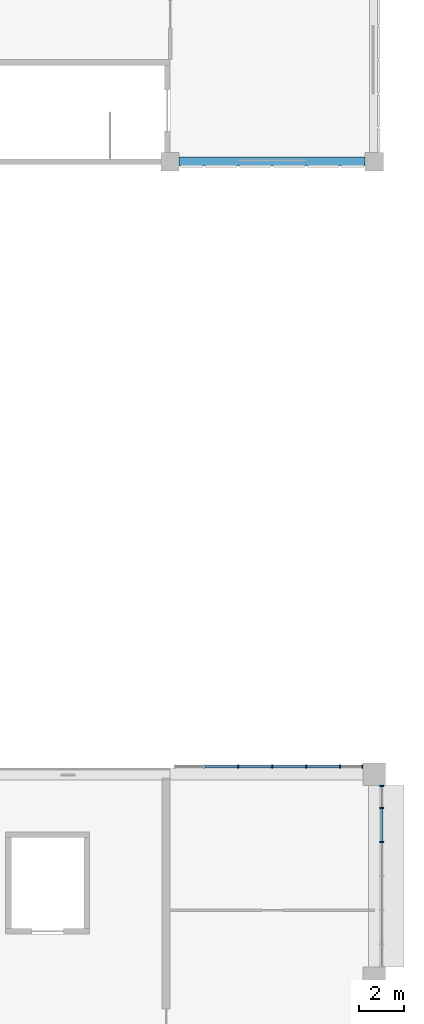
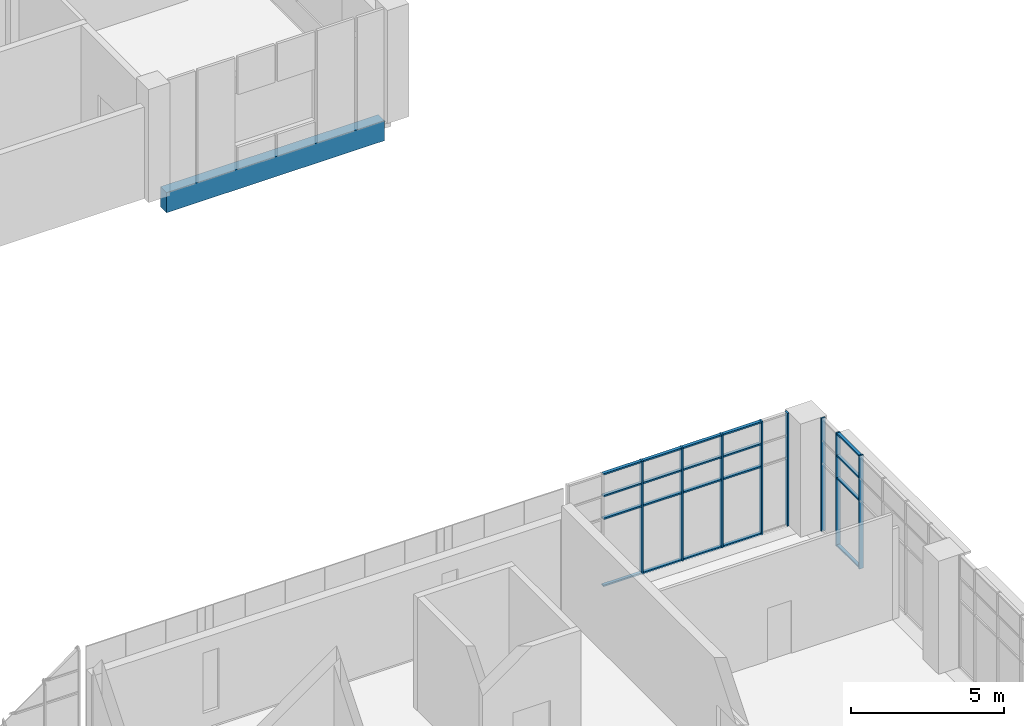
# One storey, part 33 of 88: 28 members, 1 beam, 2 elements without a shape of their own.
"""IFC4 building model written with IfcOpenShell, lengths in metres."""

from ifc_helpers import new_model, si_unit, direction, frame, origin, origin_2d, place, context, subcontext, project, spatial, rectangle, extrude, material, layer, layer_set, material_profile, profile_set, type_object, element, aggregate, save


model = new_model("IFC4")

# Units and contexts
model_context = context("Model", 3, precision=1e-05, world=origin(), true_north=direction((0.0, 1.0)))
body_context = subcontext(model_context, "Body", "Model", "MODEL_VIEW")
ifc_project = project(units=[si_unit("LENGTHUNIT", "METRE"), si_unit("AREAUNIT", "SQUARE_METRE"), si_unit("VOLUMEUNIT", "CUBIC_METRE"), si_unit("PLANEANGLEUNIT", "RADIAN"), si_unit("MASSUNIT", "GRAM", prefix="KILO")], contexts=[model_context])

# Site, building, storey
site_placement = place(None, origin())
site = spatial("IfcSite", under=ifc_project, at=site_placement, CompositionType="ELEMENT")
building_placement = place(site_placement, origin())
building = spatial("IfcBuilding", under=site, at=building_placement, Name="Guidao Yard Department Store", CompositionType="ELEMENT")
storey_placement = place(building_placement, frame((0.0, 0.0, 6.0)))
storey = spatial("IfcBuildingStorey", under=building, at=storey_placement, Name="L01", CompositionType="ELEMENT", Elevation=6.0)

# Curtain wall, members
ifc_material_1 = material(Name="Aluminium and glass", Category="aluminium")
ifc_layer = layer(ifc_material_1, 0.159912109375)
ifc_layer_set = layer_set([ifc_layer], Name="Unitised curtain wall CW4 1500 module")
curtain_wall_type = type_object("IfcCurtainWallType", Name="Unitised curtain wall CW4 1500 module", PredefinedType="NOTDEFINED", material=ifc_layer_set)
curtain_wall_1_placement = place(storey_placement, origin())
curtain_wall_1 = element("IfcCurtainWall", 1, at=curtain_wall_1_placement, inside=storey, type_object=curtain_wall_type, Name="Unitised curtain wall", PredefinedType="NOTDEFINED")
ifc_material_2 = material(Name="Aluminium 6063-T5", Category="aluminium")
ifc_material_profile_1 = material_profile(ifc_material_2, rectangle(XDim=0.06005859375, YDim=0.159912109375, at=origin_2d()), Name="Mullion M1 60 x 160 aluminium pressure plate")
ifc_profile_set_1 = profile_set([ifc_material_profile_1], Name="Aluminium 6063-T5")
member_type_1 = type_object("IfcMemberType", Name="Mullion M1 60 x 160 aluminium pressure plate", PredefinedType="MULLION", material=ifc_profile_set_1)
member_1_placement = place(storey_placement, frame((165.0, 27.330078125, 0.0), z_axis=(0.0, 0.0, 1.0), x_axis=(1.0, 0.0, 0.0)))
member_1 = element("IfcMember", 2, at=member_1_placement, type_object=member_type_1, Name="CW-OW-L01-08 mullion 3", PredefinedType="MULLION", context=body_context, shape_type="SweptSolid", body=[
    extrude(rectangle(XDim=0.06005859375, YDim=0.159912109375, at=origin_2d()), origin(), (0.0, 0.0, 1.0), 4.5),
])
member_2_placement = place(storey_placement, frame((166.5, 27.330078125, 0.0), z_axis=(0.0, 0.0, 1.0), x_axis=(1.0, 0.0, 0.0)))
member_2 = element("IfcMember", 3, at=member_2_placement, type_object=member_type_1, Name="CW-OW-L01-08 mullion 4", PredefinedType="MULLION", context=body_context, shape_type="SweptSolid", body=[
    extrude(rectangle(XDim=0.06005859375, YDim=0.159912109375, at=origin_2d()), origin(), (0.0, 0.0, 1.0), 4.5),
])
member_3_placement = place(storey_placement, frame((168.0, 27.330078125, 0.0), z_axis=(0.0, 0.0, 1.0), x_axis=(1.0, 0.0, 0.0)))
member_3 = element("IfcMember", 4, at=member_3_placement, type_object=member_type_1, Name="CW-OW-L01-08 mullion 5", PredefinedType="MULLION", context=body_context, shape_type="SweptSolid", body=[
    extrude(rectangle(XDim=0.06005859375, YDim=0.159912109375, at=origin_2d()), origin(), (0.0, 0.0, 1.0), 4.5),
])
member_4_placement = place(storey_placement, frame((169.5, 27.330078125, 0.0), z_axis=(0.0, 0.0, 1.0), x_axis=(1.0, 0.0, 0.0)))
member_4 = element("IfcMember", 5, at=member_4_placement, type_object=member_type_1, Name="CW-OW-L01-08 mullion 6", PredefinedType="MULLION", context=body_context, shape_type="SweptSolid", body=[
    extrude(rectangle(XDim=0.06005859375, YDim=0.159912109375, at=origin_2d()), origin(), (0.0, 0.0, 1.0), 4.5),
])
member_5_placement = place(storey_placement, frame((170.469970703125, 27.330078125, 0.0), z_axis=(0.0, 0.0, 1.0), x_axis=(1.0, 0.0, 0.0)))
member_5 = element("IfcMember", 6, at=member_5_placement, type_object=member_type_1, Name="CW-OW-L01-08 mullion 7", PredefinedType="MULLION", context=body_context, shape_type="SweptSolid", body=[
    extrude(rectangle(XDim=0.06005859375, YDim=0.159912109375, at=origin_2d()), origin(), (0.0, 0.0, 1.0), 4.5),
])

curtain_wall_2_placement = place(storey_placement, origin())
curtain_wall_2 = element("IfcCurtainWall", 7, at=curtain_wall_2_placement, inside=storey, type_object=curtain_wall_type, Name="Unitised curtain wall", PredefinedType="NOTDEFINED")
member_6_placement = place(storey_placement, frame((171.330078125, 24.0, 0.0), z_axis=(0.0, 0.0, 1.0), x_axis=(0.0, -1.0, 0.0)))
member_6 = element("IfcMember", 8, at=member_6_placement, type_object=member_type_1, Name="CW-OW-L01-11 mullion 5", PredefinedType="MULLION", context=body_context, shape_type="SweptSolid", body=[
    extrude(rectangle(XDim=0.06005859375, YDim=0.159912109375, at=origin_2d()), origin(), (0.0, 0.0, 1.0), 4.5),
])
member_7_placement = place(storey_placement, frame((171.330078125, 25.5, 0.0), z_axis=(0.0, 0.0, 1.0), x_axis=(0.0, -1.0, 0.0)))
member_7 = element("IfcMember", 9, at=member_7_placement, type_object=member_type_1, Name="CW-OW-L01-11 mullion 6", PredefinedType="MULLION", context=body_context, shape_type="SweptSolid", body=[
    extrude(rectangle(XDim=0.06005859375, YDim=0.159912109375, at=origin_2d()), origin(), (0.0, 0.0, 1.0), 4.5),
])
member_8_placement = place(storey_placement, frame((171.330078125, 26.469970703125, 0.0), z_axis=(0.0, 0.0, 1.0), x_axis=(0.0, -1.0, 0.0)))
member_8 = element("IfcMember", 10, at=member_8_placement, type_object=member_type_1, Name="CW-OW-L01-11 mullion 7", PredefinedType="MULLION", context=body_context, shape_type="SweptSolid", body=[
    extrude(rectangle(XDim=0.06005859375, YDim=0.159912109375, at=origin_2d()), origin(), (0.0, 0.0, 1.0), 4.5),
])

# Beam
ifc_material_3 = material(Name="Concrete C40", Category="concrete")
ifc_material_profile_2 = material_profile(ifc_material_3, rectangle(XDim=0.39990234375, YDim=0.800048828125, at=origin_2d()), Name="Spandrel beam 400 x 800 C40")
ifc_profile_set_2 = profile_set([ifc_material_profile_2], Name="Concrete C40")
beam_type = type_object("IfcBeamType", Name="Spandrel beam 400 x 800 C40", PredefinedType="SPANDREL", material=ifc_profile_set_2)
beam_placement = place(storey_placement, frame((162.39990234375, 54.0, -0.39990234375), z_axis=(1.0, 0.0, 0.0), x_axis=(0.0, 1.0, 0.0)))
element("IfcBeam", 11, at=beam_placement, inside=storey, type_object=beam_type, Name="Beam EB84", PredefinedType="SPANDREL", context=body_context, shape_type="SweptSolid", body=[
    extrude(rectangle(XDim=0.39990234375, YDim=0.800048828125, at=origin_2d()), origin(), (0.0, 0.0, 1.0), 8.2001953125),
])

# Member
ifc_material_4 = material(Name="Aluminium 6063-T5", Category="aluminium")
ifc_material_profile_3 = material_profile(ifc_material_4, rectangle(XDim=0.1201171875, YDim=0.06005859375, at=origin_2d()), Name="Transom T1 60 x 120 aluminium pressure plate")
ifc_profile_set_3 = profile_set([ifc_material_profile_3], Name="Aluminium 6063-T5")
member_type_2 = type_object("IfcMemberType", Name="Transom T1 60 x 120 aluminium pressure plate", PredefinedType="USERDEFINED", material=ifc_profile_set_3)
member_9_placement = place(storey_placement, frame((163.530029296875, 27.330078125, 0.030029296875), z_axis=(1.0, 0.0, 0.0), x_axis=(0.0, 1.0, 0.0)))
member_9 = element("IfcMember", 12, at=member_9_placement, type_object=member_type_2, Name="CW-OW-L01-08 transom 2.1", ObjectType="TRANSOM", PredefinedType="USERDEFINED", context=body_context, shape_type="SweptSolid", body=[
    extrude(rectangle(XDim=0.1201171875, YDim=0.06005859375, at=origin_2d()), origin(), (0.0, 0.0, 1.0), 1.43994140625),
])

member_10_placement = place(storey_placement, frame((163.530029296875, 27.330078125, 2.699951171875), z_axis=(1.0, 0.0, 0.0), x_axis=(0.0, 1.0, 0.0)))
member_10 = element("IfcMember", 13, at=member_10_placement, type_object=member_type_2, Name="CW-OW-L01-08 transom 2.2", ObjectType="TRANSOM", PredefinedType="USERDEFINED", context=body_context, shape_type="SweptSolid", body=[
    extrude(rectangle(XDim=0.1201171875, YDim=0.06005859375, at=origin_2d()), origin(), (0.0, 0.0, 1.0), 1.43994140625),
])

member_11_placement = place(storey_placement, frame((163.530029296875, 27.330078125, 3.60009765625), z_axis=(1.0, 0.0, 0.0), x_axis=(0.0, 1.0, 0.0)))
member_11 = element("IfcMember", 14, at=member_11_placement, type_object=member_type_2, Name="CW-OW-L01-08 transom 2.3", ObjectType="TRANSOM", PredefinedType="USERDEFINED", context=body_context, shape_type="SweptSolid", body=[
    extrude(rectangle(XDim=0.1201171875, YDim=0.06005859375, at=origin_2d()), origin(), (0.0, 0.0, 1.0), 1.43994140625),
])

member_12_placement = place(storey_placement, frame((163.530029296875, 27.330078125, 4.469970703125), z_axis=(1.0, 0.0, 0.0), x_axis=(0.0, 1.0, 0.0)))
member_12 = element("IfcMember", 15, at=member_12_placement, type_object=member_type_2, Name="CW-OW-L01-08 transom 2.4", ObjectType="TRANSOM", PredefinedType="USERDEFINED", context=body_context, shape_type="SweptSolid", body=[
    extrude(rectangle(XDim=0.1201171875, YDim=0.06005859375, at=origin_2d()), origin(), (0.0, 0.0, 1.0), 1.43994140625),
])

member_13_placement = place(storey_placement, frame((165.030029296875, 27.330078125, 0.030029296875), z_axis=(1.0, 0.0, 0.0), x_axis=(0.0, 1.0, 0.0)))
member_13 = element("IfcMember", 16, at=member_13_placement, type_object=member_type_2, Name="CW-OW-L01-08 transom 3.1", ObjectType="TRANSOM", PredefinedType="USERDEFINED", context=body_context, shape_type="SweptSolid", body=[
    extrude(rectangle(XDim=0.1201171875, YDim=0.06005859375, at=origin_2d()), origin(), (0.0, 0.0, 1.0), 1.43994140625),
])

member_14_placement = place(storey_placement, frame((165.030029296875, 27.330078125, 2.699951171875), z_axis=(1.0, 0.0, 0.0), x_axis=(0.0, 1.0, 0.0)))
member_14 = element("IfcMember", 17, at=member_14_placement, type_object=member_type_2, Name="CW-OW-L01-08 transom 3.2", ObjectType="TRANSOM", PredefinedType="USERDEFINED", context=body_context, shape_type="SweptSolid", body=[
    extrude(rectangle(XDim=0.1201171875, YDim=0.06005859375, at=origin_2d()), origin(), (0.0, 0.0, 1.0), 1.43994140625),
])

member_15_placement = place(storey_placement, frame((165.030029296875, 27.330078125, 3.60009765625), z_axis=(1.0, 0.0, 0.0), x_axis=(0.0, 1.0, 0.0)))
member_15 = element("IfcMember", 18, at=member_15_placement, type_object=member_type_2, Name="CW-OW-L01-08 transom 3.3", ObjectType="TRANSOM", PredefinedType="USERDEFINED", context=body_context, shape_type="SweptSolid", body=[
    extrude(rectangle(XDim=0.1201171875, YDim=0.06005859375, at=origin_2d()), origin(), (0.0, 0.0, 1.0), 1.43994140625),
])

member_16_placement = place(storey_placement, frame((165.030029296875, 27.330078125, 4.469970703125), z_axis=(1.0, 0.0, 0.0), x_axis=(0.0, 1.0, 0.0)))
member_16 = element("IfcMember", 19, at=member_16_placement, type_object=member_type_2, Name="CW-OW-L01-08 transom 3.4", ObjectType="TRANSOM", PredefinedType="USERDEFINED", context=body_context, shape_type="SweptSolid", body=[
    extrude(rectangle(XDim=0.1201171875, YDim=0.06005859375, at=origin_2d()), origin(), (0.0, 0.0, 1.0), 1.43994140625),
])

member_17_placement = place(storey_placement, frame((166.530029296875, 27.330078125, 0.030029296875), z_axis=(1.0, 0.0, 0.0), x_axis=(0.0, 1.0, 0.0)))
member_17 = element("IfcMember", 20, at=member_17_placement, type_object=member_type_2, Name="CW-OW-L01-08 transom 4.1", ObjectType="TRANSOM", PredefinedType="USERDEFINED", context=body_context, shape_type="SweptSolid", body=[
    extrude(rectangle(XDim=0.1201171875, YDim=0.06005859375, at=origin_2d()), origin(), (0.0, 0.0, 1.0), 1.43994140625),
])

member_18_placement = place(storey_placement, frame((166.530029296875, 27.330078125, 2.699951171875), z_axis=(1.0, 0.0, 0.0), x_axis=(0.0, 1.0, 0.0)))
member_18 = element("IfcMember", 21, at=member_18_placement, type_object=member_type_2, Name="CW-OW-L01-08 transom 4.2", ObjectType="TRANSOM", PredefinedType="USERDEFINED", context=body_context, shape_type="SweptSolid", body=[
    extrude(rectangle(XDim=0.1201171875, YDim=0.06005859375, at=origin_2d()), origin(), (0.0, 0.0, 1.0), 1.43994140625),
])

member_19_placement = place(storey_placement, frame((166.530029296875, 27.330078125, 3.60009765625), z_axis=(1.0, 0.0, 0.0), x_axis=(0.0, 1.0, 0.0)))
member_19 = element("IfcMember", 22, at=member_19_placement, type_object=member_type_2, Name="CW-OW-L01-08 transom 4.3", ObjectType="TRANSOM", PredefinedType="USERDEFINED", context=body_context, shape_type="SweptSolid", body=[
    extrude(rectangle(XDim=0.1201171875, YDim=0.06005859375, at=origin_2d()), origin(), (0.0, 0.0, 1.0), 1.43994140625),
])

member_20_placement = place(storey_placement, frame((166.530029296875, 27.330078125, 4.469970703125), z_axis=(1.0, 0.0, 0.0), x_axis=(0.0, 1.0, 0.0)))
member_20 = element("IfcMember", 23, at=member_20_placement, type_object=member_type_2, Name="CW-OW-L01-08 transom 4.4", ObjectType="TRANSOM", PredefinedType="USERDEFINED", context=body_context, shape_type="SweptSolid", body=[
    extrude(rectangle(XDim=0.1201171875, YDim=0.06005859375, at=origin_2d()), origin(), (0.0, 0.0, 1.0), 1.43994140625),
])

member_21_placement = place(storey_placement, frame((168.030029296875, 27.330078125, 0.030029296875), z_axis=(1.0, 0.0, 0.0), x_axis=(0.0, 1.0, 0.0)))
member_21 = element("IfcMember", 24, at=member_21_placement, type_object=member_type_2, Name="CW-OW-L01-08 transom 5.1", ObjectType="TRANSOM", PredefinedType="USERDEFINED", context=body_context, shape_type="SweptSolid", body=[
    extrude(rectangle(XDim=0.1201171875, YDim=0.06005859375, at=origin_2d()), origin(), (0.0, 0.0, 1.0), 1.43994140625),
])

member_22_placement = place(storey_placement, frame((168.030029296875, 27.330078125, 2.699951171875), z_axis=(1.0, 0.0, 0.0), x_axis=(0.0, 1.0, 0.0)))
member_22 = element("IfcMember", 25, at=member_22_placement, type_object=member_type_2, Name="CW-OW-L01-08 transom 5.2", ObjectType="TRANSOM", PredefinedType="USERDEFINED", context=body_context, shape_type="SweptSolid", body=[
    extrude(rectangle(XDim=0.1201171875, YDim=0.06005859375, at=origin_2d()), origin(), (0.0, 0.0, 1.0), 1.43994140625),
])

member_23_placement = place(storey_placement, frame((168.030029296875, 27.330078125, 3.60009765625), z_axis=(1.0, 0.0, 0.0), x_axis=(0.0, 1.0, 0.0)))
member_23 = element("IfcMember", 26, at=member_23_placement, type_object=member_type_2, Name="CW-OW-L01-08 transom 5.3", ObjectType="TRANSOM", PredefinedType="USERDEFINED", context=body_context, shape_type="SweptSolid", body=[
    extrude(rectangle(XDim=0.1201171875, YDim=0.06005859375, at=origin_2d()), origin(), (0.0, 0.0, 1.0), 1.43994140625),
])

member_24_placement = place(storey_placement, frame((168.030029296875, 27.330078125, 4.469970703125), z_axis=(1.0, 0.0, 0.0), x_axis=(0.0, 1.0, 0.0)))
member_24 = element("IfcMember", 27, at=member_24_placement, type_object=member_type_2, Name="CW-OW-L01-08 transom 5.4", ObjectType="TRANSOM", PredefinedType="USERDEFINED", context=body_context, shape_type="SweptSolid", body=[
    extrude(rectangle(XDim=0.1201171875, YDim=0.06005859375, at=origin_2d()), origin(), (0.0, 0.0, 1.0), 1.43994140625),
])

aggregate(curtain_wall_1, [member_1, member_2, member_3, member_4, member_5, member_9, member_10, member_11, member_12, member_13, member_14, member_15, member_16, member_17, member_18, member_19, member_20, member_21, member_22, member_23, member_24])

member_25_placement = place(storey_placement, frame((171.330078125, 25.469970703125, 0.030029296875), z_axis=(0.0, -1.0, 0.0), x_axis=(1.0, 0.0, 0.0)))
member_25 = element("IfcMember", 28, at=member_25_placement, type_object=member_type_2, Name="CW-OW-L01-11 transom 5.1", ObjectType="TRANSOM", PredefinedType="USERDEFINED", context=body_context, shape_type="SweptSolid", body=[
    extrude(rectangle(XDim=0.1201171875, YDim=0.06005859375, at=origin_2d()), origin(), (0.0, 0.0, 1.0), 1.43994140625),
])

member_26_placement = place(storey_placement, frame((171.330078125, 25.469970703125, 2.699951171875), z_axis=(0.0, -1.0, 0.0), x_axis=(1.0, 0.0, 0.0)))
member_26 = element("IfcMember", 29, at=member_26_placement, type_object=member_type_2, Name="CW-OW-L01-11 transom 5.2", ObjectType="TRANSOM", PredefinedType="USERDEFINED", context=body_context, shape_type="SweptSolid", body=[
    extrude(rectangle(XDim=0.1201171875, YDim=0.06005859375, at=origin_2d()), origin(), (0.0, 0.0, 1.0), 1.43994140625),
])

member_27_placement = place(storey_placement, frame((171.330078125, 25.469970703125, 3.60009765625), z_axis=(0.0, -1.0, 0.0), x_axis=(1.0, 0.0, 0.0)))
member_27 = element("IfcMember", 30, at=member_27_placement, type_object=member_type_2, Name="CW-OW-L01-11 transom 5.3", ObjectType="TRANSOM", PredefinedType="USERDEFINED", context=body_context, shape_type="SweptSolid", body=[
    extrude(rectangle(XDim=0.1201171875, YDim=0.06005859375, at=origin_2d()), origin(), (0.0, 0.0, 1.0), 1.43994140625),
])

member_28_placement = place(storey_placement, frame((171.330078125, 25.469970703125, 4.469970703125), z_axis=(0.0, -1.0, 0.0), x_axis=(1.0, 0.0, 0.0)))
member_28 = element("IfcMember", 31, at=member_28_placement, type_object=member_type_2, Name="CW-OW-L01-11 transom 5.4", ObjectType="TRANSOM", PredefinedType="USERDEFINED", context=body_context, shape_type="SweptSolid", body=[
    extrude(rectangle(XDim=0.1201171875, YDim=0.06005859375, at=origin_2d()), origin(), (0.0, 0.0, 1.0), 1.43994140625),
])

aggregate(curtain_wall_2, [member_6, member_7, member_8, member_25, member_26, member_27, member_28])

save(model, "model.ifc")
